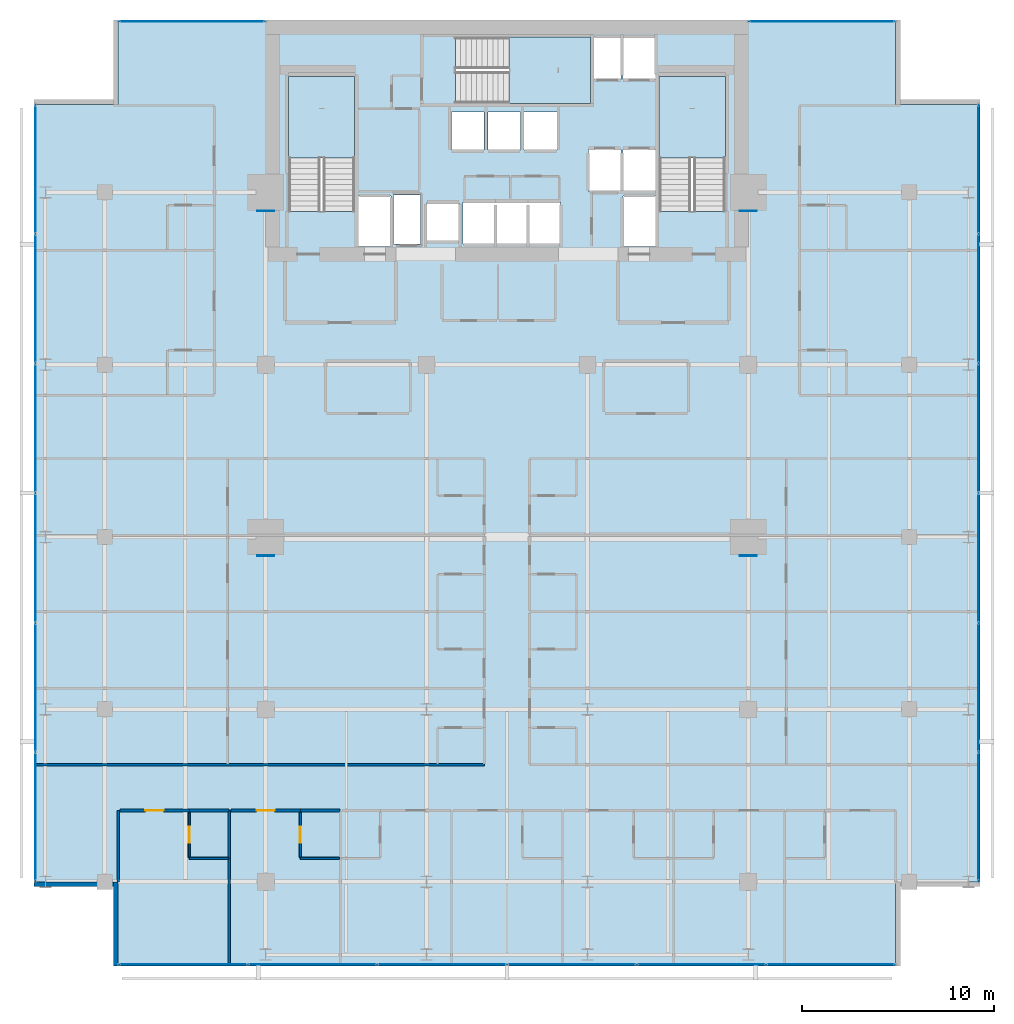
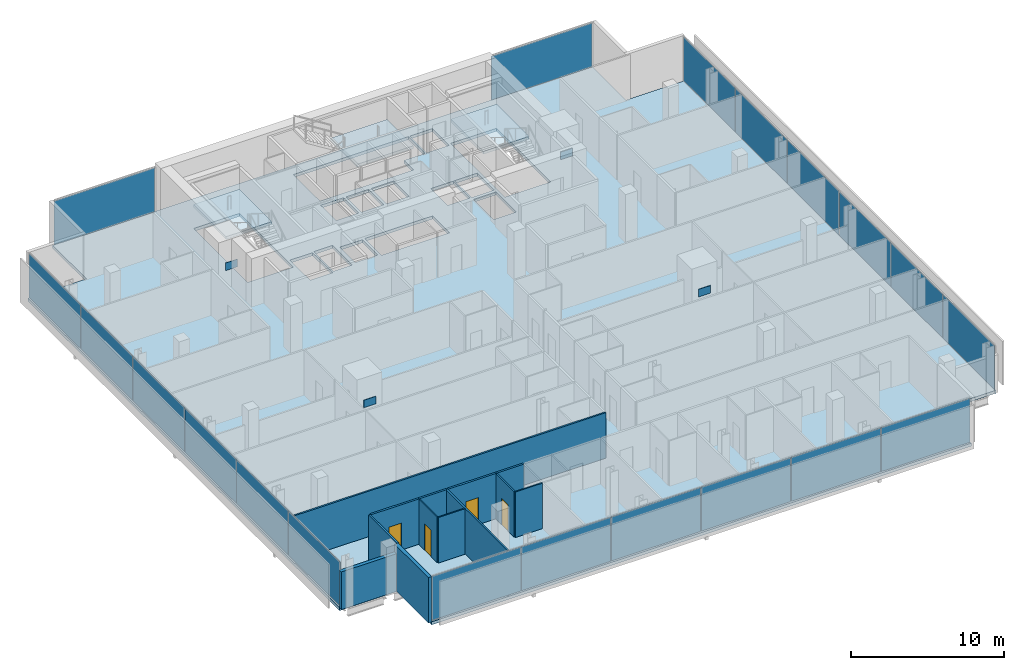
# One storey, part 26 of 34: 24 plates, 13 walls, 4 doors, 4 slabs, 4 openings, 8 elements without a shape of their own.
"""IFC4 building model written with IfcOpenShell, lengths in metres."""

from ifc_helpers import new_model, si_unit, direction, frame, frame_2d, origin, origin_2d, place, context, subcontext, project, spatial, polyline, rectangle, outline, extrude, material, layer, layer_set, type_object, element, fill, aggregate, save


model = new_model("IFC4")

# Units and contexts
model_context = context("Model", 3, precision=1e-05, world=origin(), true_north=direction((0.0, 1.0)))
body_context = subcontext(model_context, "Body", "Model", "MODEL_VIEW")
ifc_project = project(units=[si_unit("LENGTHUNIT", "METRE"), si_unit("AREAUNIT", "SQUARE_METRE"), si_unit("VOLUMEUNIT", "CUBIC_METRE"), si_unit("PLANEANGLEUNIT", "RADIAN"), si_unit("MASSUNIT", "GRAM", prefix="KILO")], contexts=[model_context])

# Site, building, storey
site_placement = place(None, origin())
site = spatial("IfcSite", under=ifc_project, at=site_placement, CompositionType="ELEMENT")
building_placement = place(site_placement, origin())
building = spatial("IfcBuilding", under=site, at=building_placement, Name="Maruvema Waterfront Hotel and Observation Tower", CompositionType="ELEMENT")
storey_placement = place(building_placement, frame((0.0, 0.0, 135.10009765625)))
storey = spatial("IfcBuildingStorey", under=building, at=storey_placement, Name="L32", CompositionType="ELEMENT", Elevation=135.10009765625)

# Slab
ifc_material_1 = material(Name="Concrete C50/60", Category="concrete")
ifc_layer_1 = layer(ifc_material_1, 0.239990234375, Name="Reinforced Concrete Floor Slab 240 mm")
ifc_layer_set_1 = layer_set([ifc_layer_1], Name="Concrete C50/60")
slab_type_1 = type_object("IfcSlabType", Name="Reinforced Concrete Floor Slab 240 mm", PredefinedType="FLOOR", material=ifc_layer_set_1)
slab_1_placement = place(storey_placement, frame((0.0, 0.0, -0.239990234375)))
element("IfcSlab", 1, at=slab_1_placement, inside=storey, type_object=slab_type_1, Name="L32 Structural Floor Slab", PredefinedType="FLOOR", context=body_context, shape_type="SweptSolid", body=[
    extrude(outline(polyline([(17.5, 4.60009765625), (58.10009765625, 4.60009765625), (58.10009765625, 9.0), (62.5, 9.0), (62.5, 49.60009765625), (58.10009765625, 49.60009765625), (58.10009765625, 54.0), (17.5, 54.0), (17.5, 49.60009765625), (13.10009765625, 49.60009765625), (13.10009765625, 9.0), (17.5, 9.0), (17.5, 4.60009765625)]), holes=[polyline([(26.39990234375, 44.00048828125), (26.39990234375, 51.050048828125), (29.85009765625, 51.050048828125), (29.85009765625, 44.00048828125), (26.39990234375, 44.00048828125)]), polyline([(30.050048828125, 44.800048828125), (31.75, 44.800048828125), (31.75, 42.169921875), (30.050048828125, 42.169921875), (30.050048828125, 44.800048828125)]), polyline([(31.8798828125, 44.860107421875), (33.280029296875, 44.860107421875), (33.280029296875, 42.2900390625), (31.8798828125, 42.2900390625), (31.8798828125, 44.860107421875)]), polyline([(33.60009765625, 44.449951171875), (35.300048828125, 44.449951171875), (35.300048828125, 42.449951171875), (33.60009765625, 42.449951171875), (33.60009765625, 44.449951171875)]), polyline([(34.89990234375, 49.199951171875), (36.60009765625, 49.199951171875), (36.60009765625, 47.199951171875), (34.89990234375, 47.199951171875), (34.89990234375, 49.199951171875)]), polyline([(36.800048828125, 49.199951171875), (38.5, 49.199951171875), (38.5, 47.199951171875), (36.800048828125, 47.199951171875), (36.800048828125, 49.199951171875)]), polyline([(35.5, 42.300048828125), (35.5, 44.5), (40.60009765625, 44.5), (40.60009765625, 42.300048828125), (35.5, 42.300048828125)]), polyline([(35.1005859375, 53.10009765625), (43.75, 53.10009765625), (43.75, 50.89990234375), (42.14990234375, 50.89990234375), (42.14990234375, 49.64990234375), (35.1005859375, 49.64990234375), (35.1005859375, 53.10009765625)]), polyline([(38.699951171875, 49.199951171875), (40.39990234375, 49.199951171875), (40.39990234375, 47.199951171875), (38.699951171875, 47.199951171875), (38.699951171875, 49.199951171875)]), polyline([(42.050048828125, 47.25), (43.75, 47.25), (43.75, 45.050048828125), (42.050048828125, 45.050048828125), (42.050048828125, 47.25)]), polyline([(43.85009765625, 44.800048828125), (45.550048828125, 44.800048828125), (45.550048828125, 42.169921875), (43.85009765625, 42.169921875), (43.85009765625, 44.800048828125)]), polyline([(43.85009765625, 47.25), (45.550048828125, 47.25), (45.550048828125, 45.050048828125), (43.85009765625, 45.050048828125), (43.85009765625, 47.25)]), polyline([(45.550048828125, 53.10009765625), (45.550048828125, 50.89990234375), (43.85009765625, 50.89990234375), (43.85009765625, 53.10009765625), (45.550048828125, 53.10009765625)]), polyline([(45.75, 44.00048828125), (45.75, 51.050048828125), (49.199951171875, 51.050048828125), (49.199951171875, 44.00048828125), (45.75, 44.00048828125)])]), origin(), (0.0, 0.0, 1.0), 0.239990234375),
])

# Curtain wall, plates
ifc_material_2 = material(Name="Anodised bronze aluminium and solar-control low-E IGU", Category="aluminium")
ifc_layer_2 = layer(ifc_material_2, 0.159912109375, Name="Zone 2 Amber Inner Thermal Curtain Wall System CW-03")
ifc_layer_set_2 = layer_set([ifc_layer_2], Name="Anodised bronze aluminium and solar-control low-E IGU")
curtain_wall_type = type_object("IfcCurtainWallType", Name="Zone 2 Amber Inner Thermal Curtain Wall System CW-03", PredefinedType="USERDEFINED", material=ifc_layer_set_2)
curtain_wall_1_placement = place(storey_placement, origin())
curtain_wall_1 = element("IfcCurtainWall", 2, at=curtain_wall_1_placement, inside=storey, type_object=curtain_wall_type, Name="L32 Curtain Wall CW-L32-S", ObjectType="UNITISED CURTAIN WALL", PredefinedType="USERDEFINED")
ifc_material_3 = material(Name="Laminated low-E solar-control double glazing", Category="glass")
ifc_layer_3 = layer(ifc_material_3, 0.035888671875, Name="Solar Control Double-Glazed Curtain Panel 36 mm")
ifc_layer_set_3 = layer_set([ifc_layer_3], Name="Laminated low-E solar-control double glazing")
plate_type_1 = type_object("IfcPlateType", Name="Solar Control Double-Glazed Curtain Panel 36 mm", PredefinedType="CURTAIN_PANEL", material=ifc_layer_set_3)
plate_1_placement = place(storey_placement, frame((20.8984375, 4.679931640625, 0.06005859375), z_axis=(0.0, 0.0, 1.0), x_axis=(1.0, 0.0, 0.0)))
plate_1 = element("IfcPlate", 3, at=plate_1_placement, type_object=plate_type_1, Name="CW-03 panel 1.1", PredefinedType="CURTAIN_PANEL", context=body_context, shape_type="SweptSolid", body=[
    extrude(rectangle(XDim=6.6767578125, YDim=0.028076171875, at=origin_2d()), origin(), (0.0, 0.0, 1.0), 3.489990234375),
])
plate_2_placement = place(storey_placement, frame((27.64990234375, 4.679931640625, 0.06005859375), z_axis=(0.0, 0.0, 1.0), x_axis=(1.0, 0.0, 0.0)))
plate_2 = element("IfcPlate", 4, at=plate_2_placement, type_object=plate_type_1, Name="CW-03 panel 2.1", PredefinedType="CURTAIN_PANEL", context=body_context, shape_type="SweptSolid", body=[
    extrude(rectangle(XDim=6.706787109375, YDim=0.028076171875, at=origin_2d()), origin(), (0.0, 0.0, 1.0), 3.489990234375),
])
plate_3_placement = place(storey_placement, frame((34.416748046875, 4.679931640625, 0.06005859375), z_axis=(0.0, 0.0, 1.0), x_axis=(1.0, 0.0, 0.0)))
plate_3 = element("IfcPlate", 5, at=plate_3_placement, type_object=plate_type_1, Name="CW-03 panel 3.1", PredefinedType="CURTAIN_PANEL", context=body_context, shape_type="SweptSolid", body=[
    extrude(rectangle(XDim=6.706787109375, YDim=0.028076171875, at=origin_2d()), origin(), (0.0, 0.0, 1.0), 3.489990234375),
])
plate_4_placement = place(storey_placement, frame((41.183349609375, 4.679931640625, 0.06005859375), z_axis=(0.0, 0.0, 1.0), x_axis=(1.0, 0.0, 0.0)))
plate_4 = element("IfcPlate", 6, at=plate_4_placement, type_object=plate_type_1, Name="CW-03 panel 4.1", PredefinedType="CURTAIN_PANEL", context=body_context, shape_type="SweptSolid", body=[
    extrude(rectangle(XDim=6.706787109375, YDim=0.028076171875, at=origin_2d()), origin(), (0.0, 0.0, 1.0), 3.489990234375),
])
plate_5_placement = place(storey_placement, frame((47.949951171875, 4.679931640625, 0.06005859375), z_axis=(0.0, 0.0, 1.0), x_axis=(1.0, 0.0, 0.0)))
plate_5 = element("IfcPlate", 7, at=plate_5_placement, type_object=plate_type_1, Name="CW-03 panel 5.1", PredefinedType="CURTAIN_PANEL", context=body_context, shape_type="SweptSolid", body=[
    extrude(rectangle(XDim=6.706787109375, YDim=0.028076171875, at=origin_2d()), origin(), (0.0, 0.0, 1.0), 3.489990234375),
])
plate_6_placement = place(storey_placement, frame((54.70166015625, 4.679931640625, 0.06005859375), z_axis=(0.0, 0.0, 1.0), x_axis=(1.0, 0.0, 0.0)))
plate_6 = element("IfcPlate", 8, at=plate_6_placement, type_object=plate_type_1, Name="CW-03 panel 6.1", PredefinedType="CURTAIN_PANEL", context=body_context, shape_type="SweptSolid", body=[
    extrude(rectangle(XDim=6.6767578125, YDim=0.028076171875, at=origin_2d()), origin(), (0.0, 0.0, 1.0), 3.489990234375),
])
aggregate(curtain_wall_1, [plate_1, plate_2, plate_3, plate_4, plate_5, plate_6])

curtain_wall_2_placement = place(storey_placement, origin())
curtain_wall_2 = element("IfcCurtainWall", 9, at=curtain_wall_2_placement, inside=storey, type_object=curtain_wall_type, Name="L32 Curtain Wall CW-L32-E", ObjectType="UNITISED CURTAIN WALL", PredefinedType="USERDEFINED")
plate_7_placement = place(storey_placement, frame((62.419921875, 12.3984375, 0.06005859375), z_axis=(0.0, 0.0, 1.0), x_axis=(0.0, 1.0, 0.0)))
plate_7 = element("IfcPlate", 10, at=plate_7_placement, type_object=plate_type_1, Name="CW-03 panel 1.1", PredefinedType="CURTAIN_PANEL", context=body_context, shape_type="SweptSolid", body=[
    extrude(rectangle(XDim=6.6767578125, YDim=0.028076171875, at=origin_2d()), origin(), (0.0, 0.0, 1.0), 3.489990234375),
])
plate_8_placement = place(storey_placement, frame((62.419921875, 19.14990234375, 0.06005859375), z_axis=(0.0, 0.0, 1.0), x_axis=(0.0, 1.0, 0.0)))
plate_8 = element("IfcPlate", 11, at=plate_8_placement, type_object=plate_type_1, Name="CW-03 panel 2.1", PredefinedType="CURTAIN_PANEL", context=body_context, shape_type="SweptSolid", body=[
    extrude(rectangle(XDim=6.706787109375, YDim=0.028076171875, at=origin_2d()), origin(), (0.0, 0.0, 1.0), 3.489990234375),
])
plate_9_placement = place(storey_placement, frame((62.419921875, 25.916748046875, 0.06005859375), z_axis=(0.0, 0.0, 1.0), x_axis=(0.0, 1.0, 0.0)))
plate_9 = element("IfcPlate", 12, at=plate_9_placement, type_object=plate_type_1, Name="CW-03 panel 3.1", PredefinedType="CURTAIN_PANEL", context=body_context, shape_type="SweptSolid", body=[
    extrude(rectangle(XDim=6.706787109375, YDim=0.028076171875, at=origin_2d()), origin(), (0.0, 0.0, 1.0), 3.489990234375),
])
plate_10_placement = place(storey_placement, frame((62.419921875, 32.683349609375, 0.06005859375), z_axis=(0.0, 0.0, 1.0), x_axis=(0.0, 1.0, 0.0)))
plate_10 = element("IfcPlate", 13, at=plate_10_placement, type_object=plate_type_1, Name="CW-03 panel 4.1", PredefinedType="CURTAIN_PANEL", context=body_context, shape_type="SweptSolid", body=[
    extrude(rectangle(XDim=6.706787109375, YDim=0.028076171875, at=origin_2d()), origin(), (0.0, 0.0, 1.0), 3.489990234375),
])
plate_11_placement = place(storey_placement, frame((62.419921875, 39.449951171875, 0.06005859375), z_axis=(0.0, 0.0, 1.0), x_axis=(0.0, 1.0, 0.0)))
plate_11 = element("IfcPlate", 14, at=plate_11_placement, type_object=plate_type_1, Name="CW-03 panel 5.1", PredefinedType="CURTAIN_PANEL", context=body_context, shape_type="SweptSolid", body=[
    extrude(rectangle(XDim=6.706787109375, YDim=0.028076171875, at=origin_2d()), origin(), (0.0, 0.0, 1.0), 3.489990234375),
])
plate_12_placement = place(storey_placement, frame((62.419921875, 46.20166015625, 0.06005859375), z_axis=(0.0, 0.0, 1.0), x_axis=(0.0, 1.0, 0.0)))
plate_12 = element("IfcPlate", 15, at=plate_12_placement, type_object=plate_type_1, Name="CW-03 panel 6.1", PredefinedType="CURTAIN_PANEL", context=body_context, shape_type="SweptSolid", body=[
    extrude(rectangle(XDim=6.6767578125, YDim=0.028076171875, at=origin_2d()), origin(), (0.0, 0.0, 1.0), 3.489990234375),
])
aggregate(curtain_wall_2, [plate_7, plate_8, plate_9, plate_10, plate_11, plate_12])

curtain_wall_3_placement = place(storey_placement, origin())
curtain_wall_3 = element("IfcCurtainWall", 16, at=curtain_wall_3_placement, inside=storey, type_object=curtain_wall_type, Name="L32 Curtain Wall CW-L32-W", ObjectType="UNITISED CURTAIN WALL", PredefinedType="USERDEFINED")
plate_13_placement = place(storey_placement, frame((13.179931640625, 46.20166015625, 0.06005859375), z_axis=(0.0, 0.0, 1.0), x_axis=(0.0, -1.0, 0.0)))
plate_13 = element("IfcPlate", 17, at=plate_13_placement, type_object=plate_type_1, Name="CW-03 panel 1.1", PredefinedType="CURTAIN_PANEL", context=body_context, shape_type="SweptSolid", body=[
    extrude(rectangle(XDim=6.6767578125, YDim=0.028076171875, at=origin_2d()), origin(), (0.0, 0.0, 1.0), 3.489990234375),
])
plate_14_placement = place(storey_placement, frame((13.179931640625, 39.449951171875, 0.06005859375), z_axis=(0.0, 0.0, 1.0), x_axis=(0.0, -1.0, 0.0)))
plate_14 = element("IfcPlate", 18, at=plate_14_placement, type_object=plate_type_1, Name="CW-03 panel 2.1", PredefinedType="CURTAIN_PANEL", context=body_context, shape_type="SweptSolid", body=[
    extrude(rectangle(XDim=6.706787109375, YDim=0.028076171875, at=origin_2d()), origin(), (0.0, 0.0, 1.0), 3.489990234375),
])
plate_15_placement = place(storey_placement, frame((13.179931640625, 32.683349609375, 0.06005859375), z_axis=(0.0, 0.0, 1.0), x_axis=(0.0, -1.0, 0.0)))
plate_15 = element("IfcPlate", 19, at=plate_15_placement, type_object=plate_type_1, Name="CW-03 panel 3.1", PredefinedType="CURTAIN_PANEL", context=body_context, shape_type="SweptSolid", body=[
    extrude(rectangle(XDim=6.706787109375, YDim=0.028076171875, at=origin_2d()), origin(), (0.0, 0.0, 1.0), 3.489990234375),
])
plate_16_placement = place(storey_placement, frame((13.179931640625, 25.916748046875, 0.06005859375), z_axis=(0.0, 0.0, 1.0), x_axis=(0.0, -1.0, 0.0)))
plate_16 = element("IfcPlate", 20, at=plate_16_placement, type_object=plate_type_1, Name="CW-03 panel 4.1", PredefinedType="CURTAIN_PANEL", context=body_context, shape_type="SweptSolid", body=[
    extrude(rectangle(XDim=6.706787109375, YDim=0.028076171875, at=origin_2d()), origin(), (0.0, 0.0, 1.0), 3.489990234375),
])
plate_17_placement = place(storey_placement, frame((13.179931640625, 19.14990234375, 0.06005859375), z_axis=(0.0, 0.0, 1.0), x_axis=(0.0, -1.0, 0.0)))
plate_17 = element("IfcPlate", 21, at=plate_17_placement, type_object=plate_type_1, Name="CW-03 panel 5.1", PredefinedType="CURTAIN_PANEL", context=body_context, shape_type="SweptSolid", body=[
    extrude(rectangle(XDim=6.706787109375, YDim=0.028076171875, at=origin_2d()), origin(), (0.0, 0.0, 1.0), 3.489990234375),
])
plate_18_placement = place(storey_placement, frame((13.179931640625, 12.3984375, 0.06005859375), z_axis=(0.0, 0.0, 1.0), x_axis=(0.0, -1.0, 0.0)))
plate_18 = element("IfcPlate", 22, at=plate_18_placement, type_object=plate_type_1, Name="CW-03 panel 6.1", PredefinedType="CURTAIN_PANEL", context=body_context, shape_type="SweptSolid", body=[
    extrude(rectangle(XDim=6.6767578125, YDim=0.028076171875, at=origin_2d()), origin(), (0.0, 0.0, 1.0), 3.489990234375),
])
aggregate(curtain_wall_3, [plate_13, plate_14, plate_15, plate_16, plate_17, plate_18])

# Curtain wall, plate
curtain_wall_4_placement = place(storey_placement, origin())
curtain_wall_4 = element("IfcCurtainWall", 23, at=curtain_wall_4_placement, inside=storey, type_object=curtain_wall_type, Name="L32 Curtain Wall CW-L32-NW", ObjectType="UNITISED CURTAIN WALL", PredefinedType="USERDEFINED")
plate_19_placement = place(storey_placement, frame((21.35009765625, 53.919921875, 0.06005859375), z_axis=(0.0, 0.0, 1.0), x_axis=(-1.0, 0.0, 0.0)))
plate_19 = element("IfcPlate", 24, at=plate_19_placement, type_object=plate_type_1, Name="CW-03 panel 1.1", PredefinedType="CURTAIN_PANEL", context=body_context, shape_type="SweptSolid", body=[
    extrude(rectangle(XDim=7.580078125, YDim=0.028076171875, at=origin_2d()), origin(), (0.0, 0.0, 1.0), 3.489990234375),
])
aggregate(curtain_wall_4, [plate_19])

curtain_wall_5_placement = place(storey_placement, origin())
curtain_wall_5 = element("IfcCurtainWall", 25, at=curtain_wall_5_placement, inside=storey, type_object=curtain_wall_type, Name="L32 Curtain Wall CW-L32-NE", ObjectType="UNITISED CURTAIN WALL", PredefinedType="USERDEFINED")
plate_20_placement = place(storey_placement, frame((54.25, 53.919921875, 0.06005859375), z_axis=(0.0, 0.0, 1.0), x_axis=(-1.0, 0.0, 0.0)))
plate_20 = element("IfcPlate", 26, at=plate_20_placement, type_object=plate_type_1, Name="CW-03 panel 1.1", PredefinedType="CURTAIN_PANEL", context=body_context, shape_type="SweptSolid", body=[
    extrude(rectangle(XDim=7.580078125, YDim=0.028076171875, at=origin_2d()), origin(), (0.0, 0.0, 1.0), 3.489990234375),
])
aggregate(curtain_wall_5, [plate_20])

# Stair, slab
ifc_material_4 = material(Name="Concrete C50/60", Category="concrete")
stair_type = type_object("IfcStairType", Name="Dogleg Exit Stair 1650 mm (22R x 175.0 mm)", PredefinedType="HALF_TURN_STAIR", material=ifc_material_4)
stair_1_placement = place(storey_placement, origin())
stair_1 = element("IfcStair", 27, at=stair_1_placement, inside=storey, type_object=stair_type, Name="L32 ST-01", PredefinedType="HALF_TURN_STAIR")
ifc_material_5 = material(Name="Concrete C50/60", Category="concrete")
ifc_layer_4 = layer(ifc_material_5, 0.219970703125, Name="Stair Concrete Landing Slab 220 mm")
ifc_layer_set_4 = layer_set([ifc_layer_4], Name="Concrete C50/60")
slab_type_2 = type_object("IfcSlabType", Name="Stair Concrete Landing Slab 220 mm", PredefinedType="LANDING", material=ifc_layer_set_4)
slab_2_placement = place(storey_placement, frame((0.0, 0.0, 1.704833984375)))
slab_2 = element("IfcSlab", 28, at=slab_2_placement, type_object=slab_type_2, Name="ST-01 landing 1", PredefinedType="LANDING", context=body_context, shape_type="SweptSolid", body=[
    extrude(outline(polyline([(29.85009765625, 46.800048828125), (29.85009765625, 51.050048828125), (26.39990234375, 51.050048828125), (26.39990234375, 46.800048828125), (29.85009765625, 46.800048828125)])), origin(), (0.0, 0.0, 1.0), 0.219970703125),
])
aggregate(stair_1, [slab_2])

stair_2_placement = place(storey_placement, origin())
stair_2 = element("IfcStair", 29, at=stair_2_placement, inside=storey, type_object=stair_type, Name="L32 ST-02", PredefinedType="HALF_TURN_STAIR")
slab_3_placement = place(storey_placement, frame((0.0, 0.0, 1.704833984375)))
slab_3 = element("IfcSlab", 30, at=slab_3_placement, type_object=slab_type_2, Name="ST-02 landing 1", PredefinedType="LANDING", context=body_context, shape_type="SweptSolid", body=[
    extrude(outline(polyline([(37.89990234375, 49.64990234375), (42.14990234375, 49.64990234375), (42.14990234375, 53.10009765625), (37.89990234375, 53.10009765625), (37.89990234375, 49.64990234375)])), origin(), (0.0, 0.0, 1.0), 0.219970703125),
])
aggregate(stair_2, [slab_3])

stair_3_placement = place(storey_placement, origin())
stair_3 = element("IfcStair", 31, at=stair_3_placement, inside=storey, type_object=stair_type, Name="L32 ST-03", PredefinedType="HALF_TURN_STAIR")
slab_4_placement = place(storey_placement, frame((0.0, 0.0, 1.704833984375)))
slab_4 = element("IfcSlab", 32, at=slab_4_placement, type_object=slab_type_2, Name="ST-03 landing 1", PredefinedType="LANDING", context=body_context, shape_type="SweptSolid", body=[
    extrude(outline(polyline([(49.199951171875, 46.800048828125), (49.199951171875, 51.050048828125), (45.75, 51.050048828125), (45.75, 46.800048828125), (49.199951171875, 46.800048828125)])), origin(), (0.0, 0.0, 1.0), 0.219970703125),
])
aggregate(stair_3, [slab_4])

# Plates
ifc_material_6 = material(Name="Steel ABNT NBR 7007 AR 415 (ASTM A572 Grade 50)", Category="steel")
ifc_layer_5 = layer(ifc_material_6, 0.0400390625, Name="Structural Truss Node Gusset Plate 40 mm")
ifc_layer_set_5 = layer_set([ifc_layer_5], Name="Steel ABNT NBR 7007 AR 415 (ASTM A572 Grade 50)")
plate_type_2 = type_object("IfcPlateType", Name="Structural Truss Node Gusset Plate 40 mm", PredefinedType="USERDEFINED", material=ifc_layer_set_5)
for number, where, z_axis, x_axis, name in (
    (33, (25.199951171875, 26.030029296875, 1.499755859375), (0.0, 0.0, 1.0), (1.0, 0.0, 0.0), "L32 MC-01 Moment Frame Continuity Gusset Plate"),
    (34, (50.39990234375, 26.030029296875, 1.499755859375), (0.0, 0.0, 1.0), (1.0, 0.0, 0.0), "L32 MC-02 Moment Frame Continuity Gusset Plate"),
    (35, (25.199951171875, 44.030029296875, 1.499755859375), (0.0, 0.0, 1.0), (1.0, 0.0, 0.0), "L32 MC-03 Moment Frame Continuity Gusset Plate"),
    (36, (50.39990234375, 44.030029296875, 1.499755859375), (0.0, 0.0, 1.0), (1.0, 0.0, 0.0), "L32 MC-04 Moment Frame Continuity Gusset Plate"),
):
    element("IfcPlate", number, at=place(storey_placement, frame(where, z_axis=z_axis, x_axis=x_axis)), inside=storey, type_object=plate_type_2, Name=name, ObjectType="GUSSET_PLATE", PredefinedType="USERDEFINED", context=body_context, shape_type="SweptSolid", body=[
        extrude(rectangle(XDim=0.89990234375, YDim=0.0400390625, at=origin_2d()), origin(), (0.0, 0.0, 1.0), 0.60009765625),
    ])

# Wall
ifc_material_7 = material(Name="Twin-stud acoustic gypsum drywall", Category="gypsum")
ifc_layer_6 = layer(ifc_material_7, 0.14990234375, Name="Acoustic Corridor and Suite Demising Wall 150 mm")
ifc_layer_set_6 = layer_set([ifc_layer_6], Name="Twin-stud acoustic gypsum drywall")
wall_type_1 = type_object("IfcWallType", Name="Acoustic Corridor and Suite Demising Wall 150 mm", PredefinedType="PARTITIONING", material=ifc_layer_set_6)
wall_1_placement = place(storey_placement, frame((21.2099609375, 12.719970703125, 0.0), z_axis=(0.0, 0.0, 1.0), x_axis=(1.0, 0.0, 0.0)))
element("IfcWall", 37, at=wall_1_placement, inside=storey, type_object=wall_type_1, Name="L32 Bath L32-S1 Back Wall 037", PredefinedType="PARTITIONING", context=body_context, shape_type="SweptSolid", body=[
    extrude(rectangle(XDim=2.070068359375, YDim=0.14990234375, at=frame_2d((1.03515625, 0.0))), origin(), (0.0, 0.0, 1.0), 3.60986328125),
])

# Wall, opening, door
wall_2_placement = place(storey_placement, frame((17.580078125, 12.719970703125, 0.0), z_axis=(0.0, 0.0, 1.0), x_axis=(1.0, 0.0, 0.0)))
wall_2 = element("IfcWall", 38, at=wall_2_placement, inside=storey, type_object=wall_type_1, Name="L32 Unit L32-S1 Corridor Wall 040", PredefinedType="PARTITIONING", context=body_context, shape_type="SweptSolid", body=[
    extrude(rectangle(XDim=3.6298828125, YDim=0.14990234375, at=frame_2d((1.81494140625, 0.0))), origin(), (0.0, 0.0, 1.0), 3.60986328125),
])
opening_1_placement = place(wall_2_placement, frame((1.340087890625, 0.0, 0.0)))
opening_1 = element("IfcOpeningElement", 39, at=opening_1_placement, cuts=wall_2, Name="Opening DR-095", PredefinedType="OPENING", context=body_context, shape_type="SweptSolid", body=[
    extrude(rectangle(XDim=0.949951171875, YDim=2.14990234375, at=frame_2d((0.47509765625, 1.074951171875))), frame((0.0, 0.0849609375, 0.0), z_axis=(0.0, -1.0, 0.0), x_axis=(1.0, 0.0, 0.0)), (0.0, 0.0, 1.0), 0.169921875),
])
ifc_material_8 = material(Name="Acoustic solid-core hardwood timber leaf", Category="wood")
door_type_1 = type_object("IfcDoorType", Name="Guestroom Entrance Fire Door 950x2150 mm", OperationType="NOTDEFINED", PredefinedType="DOOR", material=ifc_material_8)
door_1_placement = place(opening_1_placement, frame((0.949951171875, 0.0, 0.0), z_axis=(0.0, 0.0, 1.0), x_axis=(-1.0, 0.0, 0.0)))
door_1 = element("IfcDoor", 40, at=door_1_placement, inside=storey, type_object=door_type_1, Name="L32 Unit L32-S1 Entrance Door", OperationType="SINGLE_SWING_RIGHT", OverallHeight=2.14990234375, OverallWidth=0.949951171875, PredefinedType="DOOR", context=body_context, shape_type="SweptSolid", body=[
    extrude(rectangle(XDim=0.949951171875, YDim=2.14990234375, at=frame_2d((0.47509765625, 1.074951171875))), frame((0.0, 0.02490234375, 0.0), z_axis=(0.0, -1.0, 0.0), x_axis=(1.0, 0.0, 0.0)), (0.0, 0.0, 1.0), 0.050048828125),
])
fill(opening_1, door_1)

# Wall
wall_3_placement = place(storey_placement, frame((27.010009765625, 12.719970703125, 0.0), z_axis=(0.0, 0.0, 1.0), x_axis=(1.0, 0.0, 0.0)))
element("IfcWall", 41, at=wall_3_placement, inside=storey, type_object=wall_type_1, Name="L32 Bath L32-S2 Back Wall 042", PredefinedType="PARTITIONING", context=body_context, shape_type="SweptSolid", body=[
    extrude(rectangle(XDim=2.070068359375, YDim=0.14990234375, at=frame_2d((1.03515625, 0.0))), origin(), (0.0, 0.0, 1.0), 3.60986328125),
])

# Wall, opening, door
wall_4_placement = place(storey_placement, frame((23.3798828125, 12.719970703125, 0.0), z_axis=(0.0, 0.0, 1.0), x_axis=(1.0, 0.0, 0.0)))
wall_4 = element("IfcWall", 42, at=wall_4_placement, inside=storey, type_object=wall_type_1, Name="L32 Unit L32-S2 Corridor Wall 045", PredefinedType="PARTITIONING", context=body_context, shape_type="SweptSolid", body=[
    extrude(rectangle(XDim=3.630126953125, YDim=0.14990234375, at=frame_2d((1.81494140625, 0.0))), origin(), (0.0, 0.0, 1.0), 3.60986328125),
])
opening_2_placement = place(wall_4_placement, frame((1.340087890625, 0.0, 0.0)))
opening_2 = element("IfcOpeningElement", 43, at=opening_2_placement, cuts=wall_4, Name="Opening DR-095", PredefinedType="OPENING", context=body_context, shape_type="SweptSolid", body=[
    extrude(rectangle(XDim=0.949951171875, YDim=2.14990234375, at=frame_2d((0.47509765625, 1.074951171875))), frame((0.0, 0.0849609375, 0.0), z_axis=(0.0, -1.0, 0.0), x_axis=(1.0, 0.0, 0.0)), (0.0, 0.0, 1.0), 0.169921875),
])
door_2_placement = place(opening_2_placement, frame((0.949951171875, 0.0, 0.0), z_axis=(0.0, 0.0, 1.0), x_axis=(-1.0, 0.0, 0.0)))
door_2 = element("IfcDoor", 44, at=door_2_placement, inside=storey, type_object=door_type_1, Name="L32 Unit L32-S2 Entrance Door", OperationType="SINGLE_SWING_RIGHT", OverallHeight=2.14990234375, OverallWidth=0.949951171875, PredefinedType="DOOR", context=body_context, shape_type="SweptSolid", body=[
    extrude(rectangle(XDim=0.949951171875, YDim=2.14990234375, at=frame_2d((0.47509765625, 1.074951171875))), frame((0.0, 0.02490234375, 0.0), z_axis=(0.0, -1.0, 0.0), x_axis=(1.0, 0.0, 0.0)), (0.0, 0.0, 1.0), 0.050048828125),
])
fill(opening_2, door_2)

# Wall
ifc_material_9 = material(Name="Moisture-resistant cement-board drywall", Category="gypsum")
ifc_layer_7 = layer(ifc_material_9, 0.10009765625, Name="En-Suite Moisture-Resistant Partition 100 mm")
ifc_layer_set_7 = layer_set([ifc_layer_7], Name="Moisture-resistant cement-board drywall")
wall_type_2 = type_object("IfcWallType", Name="En-Suite Moisture-Resistant Partition 100 mm", PredefinedType="PARTITIONING", material=ifc_layer_set_7)
wall_5_placement = place(storey_placement, frame((21.2099609375, 10.219970703125, 0.0), z_axis=(0.0, 0.0, 1.0), x_axis=(1.0, 0.0, 0.0)))
element("IfcWall", 45, at=wall_5_placement, inside=storey, type_object=wall_type_2, Name="L32 En-Suite L32-S1 South 038", PredefinedType="PARTITIONING", context=body_context, shape_type="SweptSolid", body=[
    extrude(rectangle(XDim=2.050048828125, YDim=0.10009765625, at=frame_2d((1.02490234375, 0.0))), origin(), (0.0, 0.0, 1.0), 3.60986328125),
])

# Wall, opening, door
wall_6_placement = place(storey_placement, frame((21.2099609375, 10.280029296875, 0.0), z_axis=(0.0, 0.0, 1.0), x_axis=(0.0, 1.0, 0.0)))
wall_6 = element("IfcWall", 46, at=wall_6_placement, inside=storey, type_object=wall_type_2, Name="L32 En-Suite L32-S1 West 039", PredefinedType="PARTITIONING", context=body_context, shape_type="SweptSolid", body=[
    extrude(rectangle(XDim=2.340087890625, YDim=0.10009765625, at=frame_2d((1.169921875, 0.0))), origin(), (0.0, 0.0, 1.0), 3.60986328125),
])
opening_3_placement = place(wall_6_placement, frame((0.7451171875, 0.0, 0.0)))
opening_3 = element("IfcOpeningElement", 47, at=opening_3_placement, cuts=wall_6, Name="Opening DR-085", PredefinedType="OPENING", context=body_context, shape_type="SweptSolid", body=[
    extrude(rectangle(XDim=0.85009765625, YDim=2.10009765625, at=frame_2d((0.425048828125, 1.050048828125))), frame((0.0, 0.06005859375, 0.0), z_axis=(0.0, -1.0, 0.0), x_axis=(1.0, 0.0, 0.0)), (0.0, 0.0, 1.0), 0.1201171875),
])
ifc_material_10 = material(Name="Moisture-resistant solid timber leaf", Category="wood")
door_type_2 = type_object("IfcDoorType", Name="En-Suite Bathroom Door 850x2100 mm", OperationType="NOTDEFINED", PredefinedType="DOOR", material=ifc_material_10)
door_3_placement = place(opening_3_placement, origin())
door_3 = element("IfcDoor", 48, at=door_3_placement, inside=storey, type_object=door_type_2, Name="L32 En-Suite L32-S1 Door", OperationType="SINGLE_SWING_LEFT", OverallHeight=2.10009765625, OverallWidth=0.85009765625, PredefinedType="DOOR", context=body_context, shape_type="SweptSolid", body=[
    extrude(rectangle(XDim=0.85009765625, YDim=2.10009765625, at=frame_2d((0.425048828125, 1.050048828125))), frame((0.0, 0.02490234375, 0.0), z_axis=(0.0, -1.0, 0.0), x_axis=(1.0, 0.0, 0.0)), (0.0, 0.0, 1.0), 0.050048828125),
])
fill(opening_3, door_3)

# Wall
wall_7_placement = place(storey_placement, frame((27.010009765625, 10.219970703125, 0.0), z_axis=(0.0, 0.0, 1.0), x_axis=(1.0, 0.0, 0.0)))
element("IfcWall", 49, at=wall_7_placement, inside=storey, type_object=wall_type_2, Name="L32 En-Suite L32-S2 South 043", PredefinedType="PARTITIONING", context=body_context, shape_type="SweptSolid", body=[
    extrude(rectangle(XDim=2.050048828125, YDim=0.10009765625, at=frame_2d((1.02490234375, 0.0))), origin(), (0.0, 0.0, 1.0), 3.60986328125),
])

# Wall, opening, door
wall_8_placement = place(storey_placement, frame((27.010009765625, 10.280029296875, 0.0), z_axis=(0.0, 0.0, 1.0), x_axis=(0.0, 1.0, 0.0)))
wall_8 = element("IfcWall", 50, at=wall_8_placement, inside=storey, type_object=wall_type_2, Name="L32 En-Suite L32-S2 West 044", PredefinedType="PARTITIONING", context=body_context, shape_type="SweptSolid", body=[
    extrude(rectangle(XDim=2.340087890625, YDim=0.10009765625, at=frame_2d((1.169921875, 0.0))), origin(), (0.0, 0.0, 1.0), 3.60986328125),
])
opening_4_placement = place(wall_8_placement, frame((0.7451171875, 0.0, 0.0)))
opening_4 = element("IfcOpeningElement", 51, at=opening_4_placement, cuts=wall_8, Name="Opening DR-085", PredefinedType="OPENING", context=body_context, shape_type="SweptSolid", body=[
    extrude(rectangle(XDim=0.85009765625, YDim=2.10009765625, at=frame_2d((0.425048828125, 1.050048828125))), frame((0.0, 0.06005859375, 0.0), z_axis=(0.0, -1.0, 0.0), x_axis=(1.0, 0.0, 0.0)), (0.0, 0.0, 1.0), 0.1201171875),
])
door_4_placement = place(opening_4_placement, origin())
door_4 = element("IfcDoor", 52, at=door_4_placement, inside=storey, type_object=door_type_2, Name="L32 En-Suite L32-S2 Door", OperationType="SINGLE_SWING_LEFT", OverallHeight=2.10009765625, OverallWidth=0.85009765625, PredefinedType="DOOR", context=body_context, shape_type="SweptSolid", body=[
    extrude(rectangle(XDim=0.85009765625, YDim=2.10009765625, at=frame_2d((0.425048828125, 1.050048828125))), frame((0.0, 0.02490234375, 0.0), z_axis=(0.0, -1.0, 0.0), x_axis=(1.0, 0.0, 0.0)), (0.0, 0.0, 1.0), 0.050048828125),
])
fill(opening_4, door_4)

# Walls
ifc_material_11 = material(Name="Precast concrete C45/55 with honed Pernambuco granite facing", Category="masonry")
ifc_layer_8 = layer(ifc_material_11, 0.260009765625, Name="Exterior Granite Clad Spandrel and Pier Wall 260 mm")
ifc_layer_set_8 = layer_set([ifc_layer_8], Name="Precast concrete C45/55 with honed Pernambuco granite facing")
wall_type_3 = type_object("IfcWallType", Name="Exterior Granite Clad Spandrel and Pier Wall 260 mm", PredefinedType="SOLIDWALL", material=ifc_layer_set_8)
wall_9_placement = place(storey_placement, frame((17.3701171875, 4.60009765625, 0.0), z_axis=(0.0, 0.0, 1.0), x_axis=(0.0, 1.0, 0.0)))
element("IfcWall", 53, at=wall_9_placement, inside=storey, type_object=wall_type_3, Name="L32 Corner Notch Granite Pier Wall SW1", PredefinedType="SOLIDWALL", context=body_context, shape_type="SweptSolid", body=[
    extrude(rectangle(XDim=4.39990234375, YDim=0.260009765625, at=frame_2d((2.199951171875, 0.0))), origin(), (0.0, 0.0, 1.0), 3.60986328125),
])
wall_10_placement = place(storey_placement, frame((17.5, 8.8701171875, 0.0), z_axis=(0.0, 0.0, 1.0), x_axis=(-1.0, 0.0, 0.0)))
element("IfcWall", 54, at=wall_10_placement, inside=storey, type_object=wall_type_3, Name="L32 Corner Notch Granite Pier Wall SW2", PredefinedType="SOLIDWALL", context=body_context, shape_type="SweptSolid", body=[
    extrude(rectangle(XDim=4.39990234375, YDim=0.260009765625, at=frame_2d((2.199951171875, 0.0))), origin(), (0.0, 0.0, 1.0), 2.997802734375),
])
ifc_material_12 = material(Name="Acoustic gypsum plasterboard drywall", Category="gypsum")
ifc_layer_9 = layer(ifc_material_12, 0.125, Name="Guestroom Acoustic Demising Wall 125 mm")
ifc_layer_set_9 = layer_set([ifc_layer_9], Name="Acoustic gypsum plasterboard drywall")
wall_type_4 = type_object("IfcWallType", Name="Guestroom Acoustic Demising Wall 125 mm", PredefinedType="PARTITIONING", material=ifc_layer_set_9)
wall_11_placement = place(storey_placement, frame((17.5, 9.0, 0.0), z_axis=(0.0, 0.0, 1.0), x_axis=(0.0, 1.0, 0.0)))
element("IfcWall", 55, at=wall_11_placement, inside=storey, type_object=wall_type_4, Name="L32 Z2 S West End 035", PredefinedType="PARTITIONING", context=body_context, shape_type="SweptSolid", body=[
    extrude(rectangle(XDim=3.719970703125, YDim=0.125, at=frame_2d((1.85986328125, 0.0))), origin(), (0.0, 0.0, 1.0), 3.60986328125),
])
wall_12_placement = place(storey_placement, frame((23.300048828125, 4.699951171875, 0.0), z_axis=(0.0, 0.0, 1.0), x_axis=(0.0, 1.0, 0.0)))
element("IfcWall", 56, at=wall_12_placement, inside=storey, type_object=wall_type_4, Name="L32 Z2 S Demising 2 041", PredefinedType="PARTITIONING", context=body_context, shape_type="SweptSolid", body=[
    extrude(rectangle(XDim=8.02001953125, YDim=0.125, at=frame_2d((4.010009765625, 0.0))), origin(), (0.0, 0.0, 1.0), 3.60986328125),
])
wall_13_placement = place(storey_placement, frame((13.199951171875, 15.10009765625, 0.0), z_axis=(0.0, 0.0, 1.0), x_axis=(1.0, 0.0, 0.0)))
element("IfcWall", 57, at=wall_13_placement, inside=storey, type_object=wall_type_4, Name="L32 Z2 W Bot End 071", PredefinedType="PARTITIONING", context=body_context, shape_type="SweptSolid", body=[
    extrude(rectangle(XDim=23.420166015625, YDim=0.125, at=frame_2d((11.7099609375, 0.0))), origin(), (0.0, 0.0, 1.0), 3.60986328125),
])

save(model, "model.ifc")
